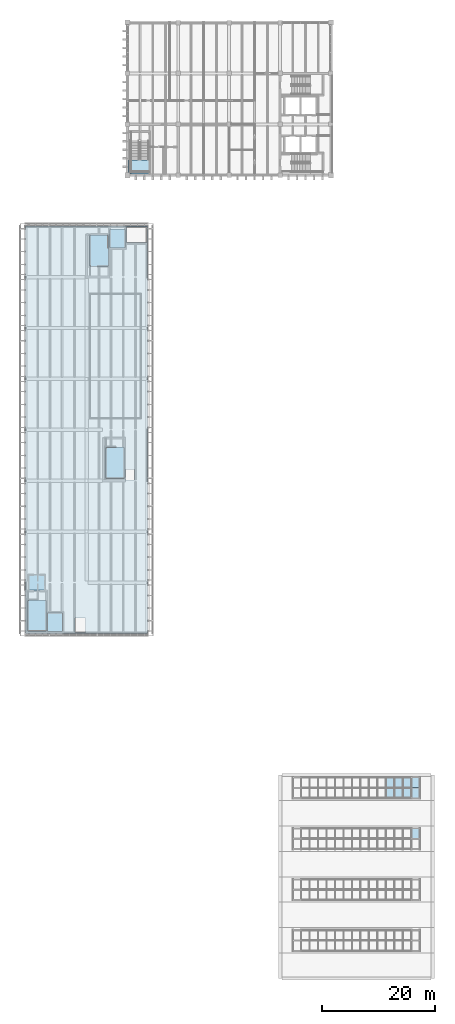
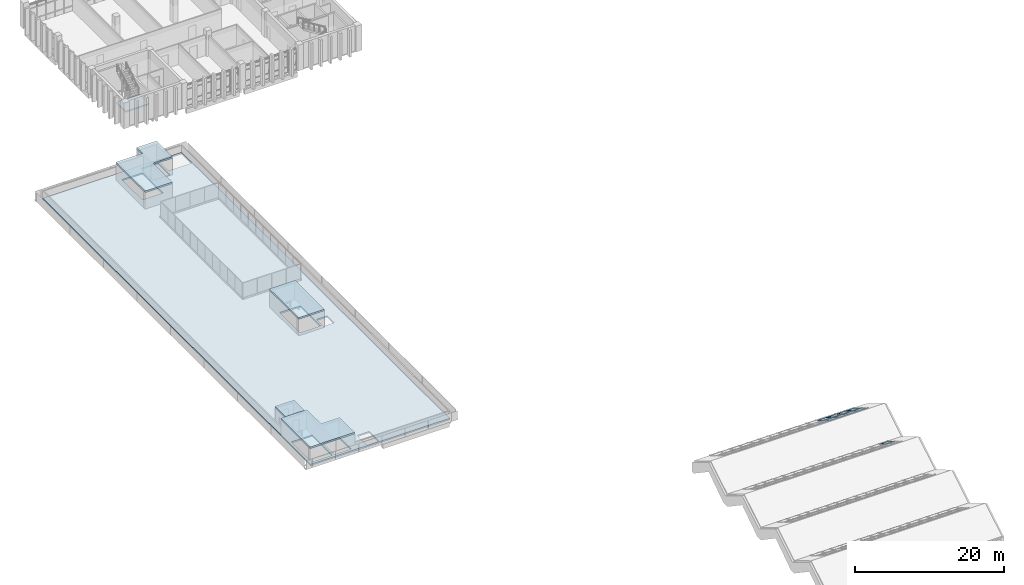
# One storey, part 14 of 29: 9 plates, 6 slabs, 3 elements without a shape of their own.
"""IFC4 building model written with IfcOpenShell, lengths in metres."""

import ifcopenshell
import ifcopenshell.guid

model = None  # the IFC model being written
_history = None  # IfcOwnerHistory: only IFC2X3 demands one
_inside = {}  # id of a spatial element -> (the spatial element, [elements in it])
_under = {}  # id of a project, library or spatial element -> (it, [spatial elements below it])
_declared = {}  # id of a project -> (the project, [libraries it declares])
_typed = {}  # id of a type object -> (the type object, [elements of that type])
_made_of = {}  # id of a material, layer set ... -> (it, [elements and type objects made of it])


def new_model(schema):
    """Start an empty IFC model of exactly this schema.

    Asked for "IFC4X3", IfcOpenShell would pick the latest addendum, in which some entities
    have other attributes; the version numbers below select the first issue.
    IFC2X3 requires an IfcOwnerHistory on every rooted entity: one is made here for all.
    """
    global model, _history
    if schema == "IFC4X3":
        model = ifcopenshell.file(schema_version=(4, 3, 0, 0))
    else:
        model = ifcopenshell.file(schema=schema)
    _inside.clear()
    _under.clear()
    _declared.clear()
    _typed.clear()
    _made_of.clear()
    _history = None
    if model.schema == "IFC2X3":
        org = make("IfcOrganization", Name="unknown")
        user = make(
            "IfcPersonAndOrganization",
            ThePerson=make("IfcPerson", FamilyName="unknown"),
            TheOrganization=org,
        )
        app = make(
            "IfcApplication",
            ApplicationDeveloper=org,
            Version="unknown",
            ApplicationFullName="unknown",
            ApplicationIdentifier="unknown",
        )
        _history = make(
            "IfcOwnerHistory",
            OwningUser=user,
            OwningApplication=app,
            ChangeAction="ADDED",
            CreationDate=0,
        )
    return model


def make(cls, **values):
    """One entity of the class cls with the attributes given. An attribute that is None is left unset."""
    return model.create_entity(
        cls, **{name: value for name, value in values.items() if value is not None}
    )


def rooted(cls, **values):
    """An entity with a GlobalId (a new one), such as an element, a storey or a relation."""
    return make(cls, GlobalId=ifcopenshell.guid.new(), OwnerHistory=_history, **values)


def si_unit(unit_type, name, prefix=None):
    """IfcSIUnit, for example si_unit("LENGTHUNIT", "METRE", prefix="MILLI")."""
    return make("IfcSIUnit", UnitType=unit_type, Prefix=prefix, Name=name)


def assignment(units):
    """IfcUnitAssignment: the units of a project."""
    return None if units is None else make("IfcUnitAssignment", Units=units)


def point(xyz):
    """IfcCartesianPoint."""
    return None if xyz is None else make("IfcCartesianPoint", Coordinates=xyz)


def direction(xyz):
    """IfcDirection."""
    return None if xyz is None else make("IfcDirection", DirectionRatios=xyz)


def frame(location, z_axis=None, x_axis=None):
    """IfcAxis2Placement3D, a coordinate frame: its origin and axes. An axis left out is left unset."""
    return make(
        "IfcAxis2Placement3D",
        Location=point(location),
        Axis=direction(z_axis),
        RefDirection=direction(x_axis),
    )


def origin():
    """The frame at (0, 0, 0) with its axes left unset."""
    return frame((0.0, 0.0, 0.0))


def place(relative_to, where):
    """IfcLocalPlacement: puts the frame where relative to a parent placement (None: the world)."""
    return make(
        "IfcLocalPlacement", PlacementRelTo=relative_to, RelativePlacement=where
    )


def context(
    kind, dimensions, precision=None, world=None, true_north=None, identifier=None
):
    """IfcGeometricRepresentationContext, for example the 3D "Model" context."""
    return make(
        "IfcGeometricRepresentationContext",
        ContextIdentifier=identifier,
        ContextType=kind,
        CoordinateSpaceDimension=dimensions,
        Precision=precision,
        WorldCoordinateSystem=world,
        TrueNorth=true_north,
    )


def subcontext(parent, identifier, kind, view, scale=None):
    """IfcGeometricRepresentationSubContext, for example "Body" below "Model"."""
    return make(
        "IfcGeometricRepresentationSubContext",
        ContextIdentifier=identifier,
        ContextType=kind,
        ParentContext=parent,
        TargetScale=scale,
        TargetView=view,
    )


def project(units=None, contexts=None):
    """IfcProject with its units and contexts."""
    return rooted(
        "IfcProject",
        Name="project",
        RepresentationContexts=contexts,
        UnitsInContext=assignment(units),
    )


def spatial(cls, under=None, at=None, **own):
    """A site, building, storey or space (cls), placed at a placement, below another one or the project."""
    s = rooted(cls, ObjectPlacement=at, **own)
    if under is not None:
        _under.setdefault(under.id(), (under, []))[1].append(s)
    return s


def polyline(points):
    """IfcPolyline through the points."""
    return make("IfcPolyline", Points=[point(p) for p in points])


def outline(outer, holes=None, kind="AREA"):
    """IfcArbitraryClosedProfileDef: a profile drawn as a closed curve; with holes, ...WithVoids."""
    if holes is None:
        return make("IfcArbitraryClosedProfileDef", ProfileType=kind, OuterCurve=outer)
    return make(
        "IfcArbitraryProfileDefWithVoids",
        ProfileType=kind,
        OuterCurve=outer,
        InnerCurves=holes,
    )


def extrude(swept, where, along, depth):
    """IfcExtrudedAreaSolid: the profile swept, set in the frame where, extruded along a direction by depth."""
    return make(
        "IfcExtrudedAreaSolid",
        SweptArea=swept,
        Position=where,
        ExtrudedDirection=direction(along),
        Depth=depth,
    )


def shape(context_of_items, identifier, shape_type, items):
    """IfcShapeRepresentation: the items that make up one representation, for example the "Body"."""
    return make(
        "IfcShapeRepresentation",
        ContextOfItems=context_of_items,
        RepresentationIdentifier=identifier,
        RepresentationType=shape_type,
        Items=items,
    )


def material(Name=None, Category=None):
    """IfcMaterial."""
    return make("IfcMaterial", Name=Name, Category=Category)


def layer(
    of_material, thickness, ventilated=None, Name=None, Category=None, Priority=None
):
    """IfcMaterialLayer: one layer of a wall or slab, of a material (None: an air gap)."""
    return make(
        "IfcMaterialLayer",
        Material=of_material,
        LayerThickness=thickness,
        IsVentilated=ventilated,
        Name=Name,
        Category=Category,
        Priority=Priority,
    )


def layer_set(layers, Name=None):
    """IfcMaterialLayerSet."""
    return make("IfcMaterialLayerSet", MaterialLayers=layers, LayerSetName=Name)


def made_of(thing, what):
    """Note that an element or type object is made of a material, layer set ...; save() writes the relation."""
    if what is not None:
        _made_of.setdefault(what.id(), (what, []))[1].append(thing)
    return thing


def type_object(cls, material=None, **own):
    """A type object (cls), such as IfcWallType, which elements share."""
    return made_of(rooted(cls, **own), material)


def element(
    cls,
    number,
    at=None,
    inside=None,
    cuts=None,
    type_object=None,
    material=None,
    context=None,
    identifier="Body",
    shape_type=None,
    held_by="IfcProductDefinitionShape",
    body=None,
    shapes=None,
    **own,
):
    """One element of the class cls, such as IfcWall. Its Tag is "e" and its number.

    at: its placement. inside: the storey or other place that contains it. cuts: it is an
    opening in that element (IfcRelVoidsElement). A single representation is given by context,
    identifier, shape_type and body (its items); several are given by shapes. held_by: the class
    of the entity that holds the representations. save() writes the other relations.
    """
    e = rooted(cls, Tag="e%d" % number, ObjectPlacement=at, **own)
    if body is not None:
        shapes = [shape(context, identifier, shape_type, body)]
    if shapes is not None:
        e.Representation = make(held_by, Representations=shapes)
    if inside is not None:
        _inside.setdefault(inside.id(), (inside, []))[1].append(e)
    if cuts is not None:
        rooted(
            "IfcRelVoidsElement", RelatingBuildingElement=cuts, RelatedOpeningElement=e
        )
    if type_object is not None:
        _typed.setdefault(type_object.id(), (type_object, []))[1].append(e)
    return made_of(e, material)


def aggregate(whole, parts):
    """IfcRelAggregates: a whole, such as a stair, and the parts it consists of."""
    return rooted("IfcRelAggregates", RelatingObject=whole, RelatedObjects=parts)


def save(model, path):
    """Write the relations noted so far, then the file.

    IfcRelAggregates (storeys below a building ...), IfcRelContainedInSpatialStructure (elements
    in a storey), IfcRelDefinesByType, IfcRelAssociatesMaterial and IfcRelDeclares: one each for
    every whole, place, type object, material and project.
    """
    for whole, parts in _under.values():
        aggregate(whole, parts)
    for where, things in _inside.values():
        rooted(
            "IfcRelContainedInSpatialStructure",
            RelatedElements=things,
            RelatingStructure=where,
        )
    for kind, things in _typed.values():
        rooted("IfcRelDefinesByType", RelatedObjects=things, RelatingType=kind)
    for what, things in _made_of.values():
        rooted("IfcRelAssociatesMaterial", RelatedObjects=things, RelatingMaterial=what)
    for by, libraries in _declared.values():
        rooted("IfcRelDeclares", RelatingContext=by, RelatedDefinitions=libraries)
    model.write(path)


model = new_model("IFC4")

# Units and contexts
model_context = context("Model", 3, precision=1e-05, world=origin(), true_north=direction((0.0, 1.0)))
body_context = subcontext(model_context, "Body", "Model", "MODEL_VIEW")
ifc_project = project(units=[si_unit("LENGTHUNIT", "METRE"), si_unit("AREAUNIT", "SQUARE_METRE"), si_unit("VOLUMEUNIT", "CUBIC_METRE"), si_unit("PLANEANGLEUNIT", "RADIAN"), si_unit("MASSUNIT", "GRAM", prefix="KILO")], contexts=[model_context])

# Site, building, storey
site_placement = place(None, origin())
site = spatial("IfcSite", under=ifc_project, at=site_placement, CompositionType="ELEMENT")
building_placement = place(site_placement, origin())
building = spatial("IfcBuilding", under=site, at=building_placement, Name="Merrow Basin Faculty of Sciences", CompositionType="ELEMENT")
storey_placement = place(building_placement, frame((0.0, 0.0, 22.5)))
storey = spatial("IfcBuildingStorey", under=building, at=storey_placement, Name="L05", CompositionType="ELEMENT", Elevation=22.5)

# Curtain wall, plate
ifc_material_1 = material(Name="Aluminium alloy 6063", Category="aluminium")
curtain_wall_type = type_object("IfcCurtainWallType", Name="Inclined curtain wall 160", PredefinedType="NOTDEFINED", material=ifc_material_1)
curtain_wall_1_placement = place(storey_placement, origin())
curtain_wall_1 = element("IfcCurtainWall", 1, at=curtain_wall_1_placement, inside=storey, type_object=curtain_wall_type, Name="North-light glazing 5", PredefinedType="NOTDEFINED")
ifc_material_2 = material(Name="Laminated safety glass", Category="glass")
ifc_layer_1 = layer(ifc_material_2, 0.033935546875)
ifc_layer_set_1 = layer_set([ifc_layer_1], Name="Laminated north-light panel 34")
plate_type = type_object("IfcPlateType", Name="Laminated north-light panel 34", PredefinedType="CURTAIN_PANEL", material=ifc_layer_set_1)
plate_1_placement = place(storey_placement, frame((68.280029296875, 24.783935546875, 1.34912109375), z_axis=(0.0, 0.514652011412, 0.857399152758), x_axis=(1.0, 0.0, 0.0)))
plate_1 = element("IfcPlate", 2, at=plate_1_placement, type_object=plate_type, Name="CW7 panel 15.2", PredefinedType="CURTAIN_PANEL", context=body_context, shape_type="SweptSolid", body=[
    extrude(outline(polyline([(0.0, 0.0), (1.409912109375, 0.0), (1.409912109375, 2.0678224524099513), (0.0, 2.0678224524099513), (0.0, 0.0)])), origin(), (0.0, 0.0, -1.0), 0.033935546875),
])
aggregate(curtain_wall_1, [plate_1])

# Curtain wall, plates
curtain_wall_2_placement = place(storey_placement, origin())
curtain_wall_2 = element("IfcCurtainWall", 3, at=curtain_wall_2_placement, inside=storey, type_object=curtain_wall_type, Name="North-light glazing 7", PredefinedType="NOTDEFINED")
plate_2_placement = place(storey_placement, frame((63.780029296875, 31.9599609375, 2.444091796875), z_axis=(0.0, 0.514652011412, 0.857399152758), x_axis=(1.0, 0.0, 0.0)))
plate_2 = element("IfcPlate", 4, at=plate_2_placement, type_object=plate_type, Name="CW7 panel 12.1", PredefinedType="CURTAIN_PANEL", context=body_context, shape_type="SweptSolid", body=[
    extrude(outline(polyline([(0.0, 0.0), (1.43994140625, 0.0), (1.43994140625, 2.0678224524099513), (0.0, 2.0678224524099513), (0.0, 0.0)])), origin(), (0.0, 0.0, -1.0), 0.033935546875),
])
plate_3_placement = place(storey_placement, frame((63.780029296875, 33.783935546875, 1.34912109375), z_axis=(0.0, 0.514652011412, 0.857399152758), x_axis=(1.0, 0.0, 0.0)))
plate_3 = element("IfcPlate", 5, at=plate_3_placement, type_object=plate_type, Name="CW7 panel 12.2", PredefinedType="CURTAIN_PANEL", context=body_context, shape_type="SweptSolid", body=[
    extrude(outline(polyline([(0.0, 0.0), (1.43994140625, 0.0), (1.43994140625, 2.0678224524099513), (0.0, 2.0678224524099513), (0.0, 0.0)])), origin(), (0.0, 0.0, -1.0), 0.033935546875),
])
plate_4_placement = place(storey_placement, frame((65.280029296875, 31.9599609375, 2.444091796875), z_axis=(0.0, 0.514652011412, 0.857399152758), x_axis=(1.0, 0.0, 0.0)))
plate_4 = element("IfcPlate", 6, at=plate_4_placement, type_object=plate_type, Name="CW7 panel 13.1", PredefinedType="CURTAIN_PANEL", context=body_context, shape_type="SweptSolid", body=[
    extrude(outline(polyline([(0.0, 0.0), (1.43994140625, 0.0), (1.43994140625, 2.0678224524099513), (0.0, 2.0678224524099513), (0.0, 0.0)])), origin(), (0.0, 0.0, -1.0), 0.033935546875),
])
plate_5_placement = place(storey_placement, frame((65.280029296875, 33.783935546875, 1.34912109375), z_axis=(0.0, 0.514652011412, 0.857399152758), x_axis=(1.0, 0.0, 0.0)))
plate_5 = element("IfcPlate", 7, at=plate_5_placement, type_object=plate_type, Name="CW7 panel 13.2", PredefinedType="CURTAIN_PANEL", context=body_context, shape_type="SweptSolid", body=[
    extrude(outline(polyline([(0.0, 0.0), (1.43994140625, 0.0), (1.43994140625, 2.0678224524099513), (0.0, 2.0678224524099513), (0.0, 0.0)])), origin(), (0.0, 0.0, -1.0), 0.033935546875),
])
plate_6_placement = place(storey_placement, frame((66.780029296875, 31.9599609375, 2.444091796875), z_axis=(0.0, 0.514652011412, 0.857399152758), x_axis=(1.0, 0.0, 0.0)))
plate_6 = element("IfcPlate", 8, at=plate_6_placement, type_object=plate_type, Name="CW7 panel 14.1", PredefinedType="CURTAIN_PANEL", context=body_context, shape_type="SweptSolid", body=[
    extrude(outline(polyline([(0.0, 0.0), (1.43994140625, 0.0), (1.43994140625, 2.0678224524099513), (0.0, 2.0678224524099513), (0.0, 0.0)])), origin(), (0.0, 0.0, -1.0), 0.033935546875),
])
plate_7_placement = place(storey_placement, frame((66.780029296875, 33.783935546875, 1.34912109375), z_axis=(0.0, 0.514652011412, 0.857399152758), x_axis=(1.0, 0.0, 0.0)))
plate_7 = element("IfcPlate", 9, at=plate_7_placement, type_object=plate_type, Name="CW7 panel 14.2", PredefinedType="CURTAIN_PANEL", context=body_context, shape_type="SweptSolid", body=[
    extrude(outline(polyline([(0.0, 0.0), (1.43994140625, 0.0), (1.43994140625, 2.0678224524099513), (0.0, 2.0678224524099513), (0.0, 0.0)])), origin(), (0.0, 0.0, -1.0), 0.033935546875),
])
plate_8_placement = place(storey_placement, frame((68.280029296875, 31.9599609375, 2.444091796875), z_axis=(0.0, 0.514652011412, 0.857399152758), x_axis=(1.0, 0.0, 0.0)))
plate_8 = element("IfcPlate", 10, at=plate_8_placement, type_object=plate_type, Name="CW7 panel 15.1", PredefinedType="CURTAIN_PANEL", context=body_context, shape_type="SweptSolid", body=[
    extrude(outline(polyline([(0.0, 0.0), (1.409912109375, 0.0), (1.409912109375, 2.0678224524099513), (0.0, 2.0678224524099513), (0.0, 0.0)])), origin(), (0.0, 0.0, -1.0), 0.033935546875),
])
plate_9_placement = place(storey_placement, frame((68.280029296875, 33.783935546875, 1.34912109375), z_axis=(0.0, 0.514652011412, 0.857399152758), x_axis=(1.0, 0.0, 0.0)))
plate_9 = element("IfcPlate", 11, at=plate_9_placement, type_object=plate_type, Name="CW7 panel 15.2", PredefinedType="CURTAIN_PANEL", context=body_context, shape_type="SweptSolid", body=[
    extrude(outline(polyline([(0.0, 0.0), (1.409912109375, 0.0), (1.409912109375, 2.0678224524099513), (0.0, 2.0678224524099513), (0.0, 0.0)])), origin(), (0.0, 0.0, -1.0), 0.033935546875),
])
aggregate(curtain_wall_2, [plate_2, plate_3, plate_4, plate_5, plate_6, plate_7, plate_8, plate_9])

# Slabs
ifc_material_3 = material(Name="Concrete C40/50", Category="concrete")
ifc_layer_2 = layer(ifc_material_3, 0.25)
ifc_layer_set_2 = layer_set([ifc_layer_2], Name="Roof lobby slab 250 Concrete C40/50")
slab_type_1 = type_object("IfcSlabType", Name="Roof lobby slab 250 Concrete C40/50", PredefinedType="ROOF", material=ifc_layer_set_2)
slab_1_placement = place(storey_placement, frame((0.0, 0.0, 2.75)))
element("IfcSlab", 12, at=slab_1_placement, inside=storey, type_object=slab_type_1, Name="Roof lobby roof", PredefinedType="ROOF", context=body_context, shape_type="SweptSolid", body=[
    extrude(outline(polyline([(0.5, 68.64990234375), (3.5, 68.64990234375), (3.5, 71.449951171875), (0.5, 71.449951171875), (0.5, 68.64990234375)])), origin(), (0.0, 0.0, 1.0), 0.25),
])
ifc_material_4 = material(Name="Concrete C40/50", Category="concrete")
ifc_layer_3 = layer(ifc_material_4, 0.25)
ifc_layer_set_3 = layer_set([ifc_layer_3], Name="Roof slab 250 Concrete C40/50")
slab_type_2 = type_object("IfcSlabType", Name="Roof slab 250 Concrete C40/50", PredefinedType="ROOF", material=ifc_layer_set_3)
slab_2_placement = place(storey_placement, frame((0.0, 0.0, -0.25)))
element("IfcSlab", 13, at=slab_2_placement, inside=storey, type_object=slab_type_2, Name="SL9 roof L05 001", PredefinedType="ROOF", context=body_context, shape_type="SweptSolid", body=[
    extrude(outline(polyline([(0.0, 133.0), (21.60009765625, 133.0), (21.60009765625, 61.0), (0.0, 61.0), (0.0, 133.0)]), holes=[polyline([(17.824951171875, 130.074951171875), (21.449951171875, 130.074951171875), (21.449951171875, 132.85009765625), (17.824951171875, 132.85009765625), (17.824951171875, 130.074951171875)]), polyline([(17.675048828125, 88.14990234375), (19.2890625, 88.14990234375), (19.2890625, 90.0), (17.675048828125, 90.0), (17.675048828125, 88.14990234375)]), polyline([(14.949951171875, 129.199951171875), (17.550048828125, 129.199951171875), (17.550048828125, 132.39990234375), (14.949951171875, 132.39990234375), (14.949951171875, 129.199951171875)]), polyline([(14.199951171875, 88.39990234375), (17.39990234375, 88.39990234375), (17.39990234375, 93.85009765625), (14.199951171875, 93.85009765625), (14.199951171875, 88.39990234375)]), polyline([(11.39990234375, 125.949951171875), (14.60009765625, 125.949951171875), (14.60009765625, 131.39990234375), (11.39990234375, 131.39990234375), (11.39990234375, 125.949951171875)]), polyline([(8.791015625, 61.14990234375), (10.64990234375, 61.14990234375), (10.64990234375, 63.72509765625), (8.791015625, 63.72509765625), (8.791015625, 61.14990234375)]), polyline([(3.89990234375, 61.39990234375), (6.5, 61.39990234375), (6.5, 64.60009765625), (3.89990234375, 64.60009765625), (3.89990234375, 61.39990234375)]), polyline([(0.39990234375, 61.39990234375), (3.60009765625, 61.39990234375), (3.60009765625, 66.85009765625), (0.39990234375, 66.85009765625), (0.39990234375, 61.39990234375)])]), origin(), (0.0, 0.0, 1.0), 0.25),
])
slab_3_placement = place(storey_placement, frame((0.0, 0.0, 2.75)))
element("IfcSlab", 14, at=slab_3_placement, inside=storey, type_object=slab_type_2, Name="SL9 head-house roof L05 002", PredefinedType="ROOF", context=body_context, shape_type="SweptSolid", body=[
    extrude(outline(polyline([(3.85009765625, 60.800048828125), (3.64990234375, 60.800048828125), (-0.199951171875, 60.800048828125), (-0.199951171875, 68.64990234375), (3.85009765625, 68.64990234375), (3.85009765625, 64.85009765625), (6.75, 64.85009765625), (6.75, 60.800048828125), (3.85009765625, 60.800048828125)])), origin(), (0.0, 0.0, 1.0), 0.25),
])
slab_4_placement = place(storey_placement, frame((0.0, 0.0, 2.75)))
element("IfcSlab", 15, at=slab_4_placement, inside=storey, type_object=slab_type_2, Name="SL9 head-house roof L05 003", PredefinedType="ROOF", context=body_context, shape_type="SweptSolid", body=[
    extrude(outline(polyline([(13.60009765625, 95.64990234375), (17.64990234375, 95.64990234375), (17.64990234375, 87.800048828125), (13.60009765625, 87.800048828125), (13.60009765625, 95.64990234375)])), origin(), (0.0, 0.0, 1.0), 0.25),
])
slab_5_placement = place(storey_placement, frame((0.0, 0.0, 2.75)))
element("IfcSlab", 16, at=slab_5_placement, inside=storey, type_object=slab_type_2, Name="SL9 head-house roof L05 004", PredefinedType="ROOF", context=body_context, shape_type="SweptSolid", body=[
    extrude(outline(polyline([(10.60009765625, 131.64990234375), (14.699951171875, 131.64990234375), (14.699951171875, 133.199951171875), (17.800048828125, 133.199951171875), (17.800048828125, 128.949951171875), (14.85009765625, 128.949951171875), (14.85009765625, 123.800048828125), (10.60009765625, 123.800048828125), (10.60009765625, 131.64990234375)])), origin(), (0.0, 0.0, 1.0), 0.25),
])

# Stair, slab
ifc_material_5 = material(Name="Concrete C40/50", Category="concrete")
stair_type = type_object("IfcStairType", Name="Concrete dog-leg stair Concrete C40/50", PredefinedType="HALF_TURN_STAIR", material=ifc_material_5)
stair_placement = place(storey_placement, origin())
stair = element("IfcStair", 17, at=stair_placement, inside=storey, type_object=stair_type, Name="L05 Exit stair W", PredefinedType="HALF_TURN_STAIR")
ifc_material_6 = material(Name="Concrete C40/50", Category="concrete")
ifc_layer_4 = layer(ifc_material_6, 0.199951171875)
ifc_layer_set_4 = layer_set([ifc_layer_4], Name="Stair landing 200 Concrete C40/50")
slab_type_3 = type_object("IfcSlabType", Name="Stair landing 200 Concrete C40/50", PredefinedType="LANDING", material=ifc_layer_set_4)
slab_6_placement = place(storey_placement, frame((0.0, 0.0, 2.050048828125)))
slab_6 = element("IfcSlab", 18, at=slab_6_placement, type_object=slab_type_3, Name="ST-V5-W landing 1", PredefinedType="LANDING", context=body_context, shape_type="SweptSolid", body=[
    extrude(outline(polyline([(18.199951171875, 142.199951171875), (21.800048828125, 142.199951171875), (21.800048828125, 144.739990234375), (18.199951171875, 144.739990234375), (18.199951171875, 142.199951171875)])), origin(), (0.0, 0.0, 1.0), 0.199951171875),
])
aggregate(stair, [slab_6])

save(model, "model.ifc")
